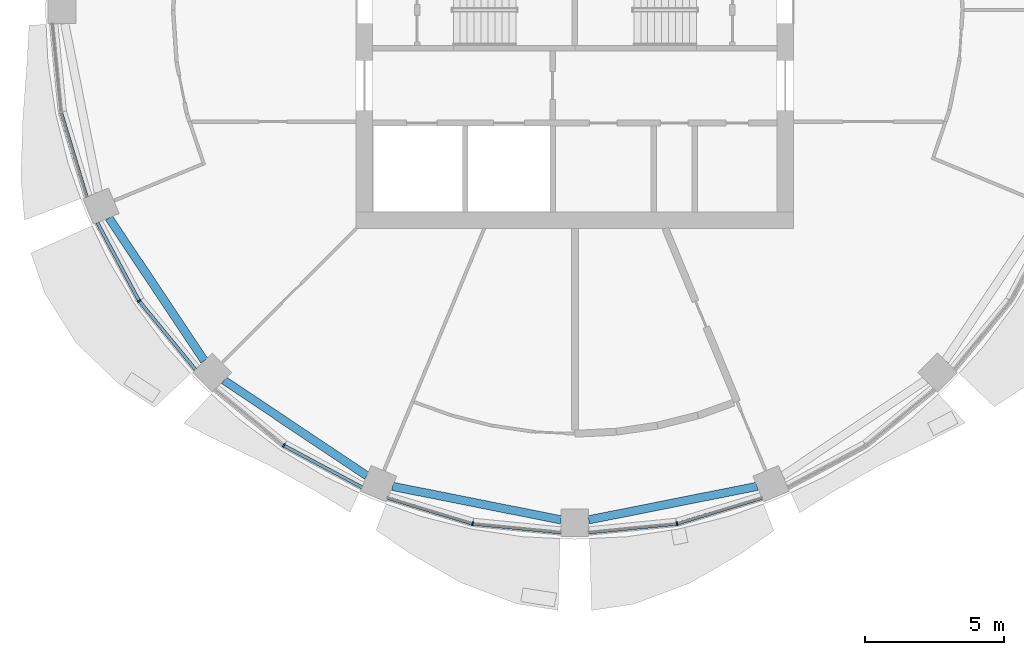
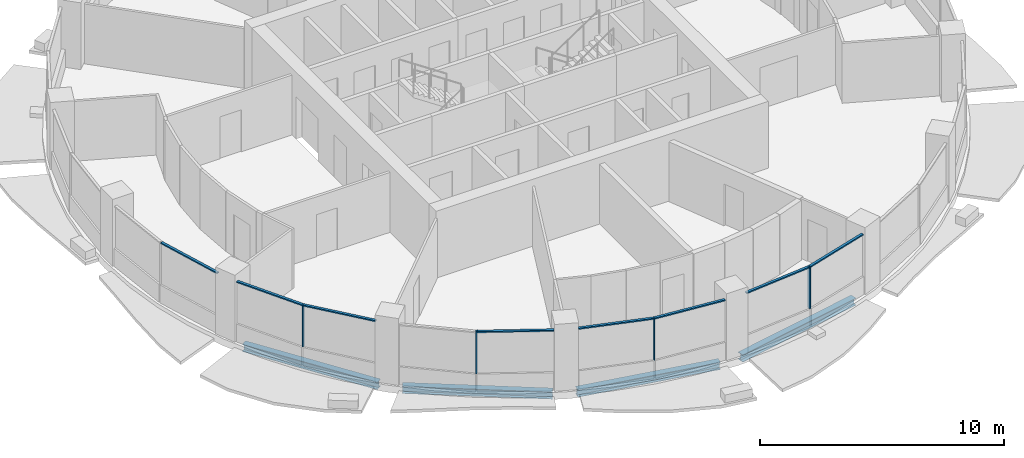
# One storey, part 2 of 15: 12 members, 4 beams, 5 elements without a shape of their own.
"""IFC4 building model written with IfcOpenShell, lengths in metres."""

from ifc_helpers import new_model, si_unit, direction, frame, origin, origin_2d, place, context, subcontext, project, spatial, rectangle, i_section, extrude, material, material_profile, profile_set, type_object, element, aggregate, save


model = new_model("IFC4")

# Units and contexts
model_context = context("Model", 3, precision=1e-05, world=origin(), true_north=direction((0.0, 1.0)))
body_context = subcontext(model_context, "Body", "Model", "MODEL_VIEW")
ifc_project = project(units=[si_unit("LENGTHUNIT", "METRE"), si_unit("AREAUNIT", "SQUARE_METRE"), si_unit("VOLUMEUNIT", "CUBIC_METRE"), si_unit("PLANEANGLEUNIT", "RADIAN"), si_unit("MASSUNIT", "GRAM", prefix="KILO")], contexts=[model_context])

# Site, building, storey
site_placement = place(None, origin())
site = spatial("IfcSite", under=ifc_project, at=site_placement, CompositionType="ELEMENT")
building_placement = place(site_placement, origin())
building = spatial("IfcBuilding", under=site, at=building_placement, Name="Polderwave Tower", CompositionType="ELEMENT")
storey_placement = place(building_placement, frame((0.0, 0.0, 124.300048828125)))
storey = spatial("IfcBuildingStorey", under=building, at=storey_placement, Name="L32", CompositionType="ELEMENT", Elevation=124.300048828125)

# Curtain wall, member
ifc_material_1 = material(Name="Aluminium 6063-T6 and glass", Category="aluminium")
curtain_wall_type = type_object("IfcCurtainWallType", Name="Office ribbon glazing wall", PredefinedType="NOTDEFINED", material=ifc_material_1)
curtain_wall_1_placement = place(storey_placement, origin())
curtain_wall_1 = element("IfcCurtainWall", 1, at=curtain_wall_1_placement, inside=storey, type_object=curtain_wall_type, Name="CW3 L32 09", PredefinedType="NOTDEFINED")
ifc_material_2 = material(Name="Aluminium 6063-T6", Category="aluminium")
ifc_material_profile_1 = material_profile(ifc_material_2, rectangle(XDim=0.139892578125, YDim=0.054931640625, at=origin_2d()), Name="AL 55x140")
ifc_profile_set_1 = profile_set([ifc_material_profile_1], Name="Aluminium 6063-T6")
member_type_1 = type_object("IfcMemberType", Name="Office ribbon glazing mullion 55x140", PredefinedType="MULLION", material=ifc_profile_set_1)
member_1_placement = place(storey_placement, frame((-15.681884765625, -10.47802734375, 0.89990234375), z_axis=(0.0, 0.0, 1.0), x_axis=(0.831453127836, 0.555594902975, 0.0)))
member_1 = element("IfcMember", 2, at=member_1_placement, type_object=member_type_1, Name="CW3 mullion 1", PredefinedType="MULLION", context=body_context, shape_type="SweptSolid", body=[
    extrude(rectangle(XDim=0.139892578125, YDim=0.054931640625, at=origin_2d()), origin(), (0.0, 0.0, 1.0), 2.10009765625),
])

curtain_wall_2_placement = place(storey_placement, origin())
curtain_wall_2 = element("IfcCurtainWall", 3, at=curtain_wall_2_placement, inside=storey, type_object=curtain_wall_type, Name="CW3 L32 10", PredefinedType="NOTDEFINED")
member_2_placement = place(storey_placement, frame((-10.47802734375, -15.681884765625, 0.89990234375), z_axis=(0.0, 0.0, 1.0), x_axis=(0.555594902975, 0.831453127836, 0.0)))
member_2 = element("IfcMember", 4, at=member_2_placement, type_object=member_type_1, Name="CW3 mullion 1", PredefinedType="MULLION", context=body_context, shape_type="SweptSolid", body=[
    extrude(rectangle(XDim=0.139892578125, YDim=0.054931640625, at=origin_2d()), origin(), (0.0, 0.0, 1.0), 2.10009765625),
])

curtain_wall_3_placement = place(storey_placement, origin())
curtain_wall_3 = element("IfcCurtainWall", 5, at=curtain_wall_3_placement, inside=storey, type_object=curtain_wall_type, Name="CW3 L32 11", PredefinedType="NOTDEFINED")
member_3_placement = place(storey_placement, frame((-3.678955078125, -18.498046875, 0.89990234375), z_axis=(0.0, 0.0, 1.0), x_axis=(0.195127981324, 0.98077778875, 0.0)))
member_3 = element("IfcMember", 6, at=member_3_placement, type_object=member_type_1, Name="CW3 mullion 1", PredefinedType="MULLION", context=body_context, shape_type="SweptSolid", body=[
    extrude(rectangle(XDim=0.139892578125, YDim=0.054931640625, at=origin_2d()), origin(), (0.0, 0.0, 1.0), 2.10009765625),
])

curtain_wall_4_placement = place(storey_placement, origin())
curtain_wall_4 = element("IfcCurtainWall", 7, at=curtain_wall_4_placement, inside=storey, type_object=curtain_wall_type, Name="CW3 L32 12", PredefinedType="NOTDEFINED")
member_4_placement = place(storey_placement, frame((3.678955078125, -18.498046875, 0.89990234375), z_axis=(0.0, 0.0, 1.0), x_axis=(-0.195127981324, 0.98077778875, 0.0)))
member_4 = element("IfcMember", 8, at=member_4_placement, type_object=member_type_1, Name="CW3 mullion 1", PredefinedType="MULLION", context=body_context, shape_type="SweptSolid", body=[
    extrude(rectangle(XDim=0.139892578125, YDim=0.054931640625, at=origin_2d()), origin(), (0.0, 0.0, 1.0), 2.10009765625),
])

curtain_wall_5_placement = place(storey_placement, origin())
curtain_wall_5 = element("IfcCurtainWall", 9, at=curtain_wall_5_placement, inside=storey, type_object=curtain_wall_type, Name="CW3 L32 08", PredefinedType="NOTDEFINED")
ifc_material_profile_2 = material_profile(ifc_material_2, rectangle(XDim=0.1201171875, YDim=0.06005859375, at=origin_2d()), Name="AL 60x120")
ifc_profile_set_2 = profile_set([ifc_material_profile_2], Name="Aluminium 6063-T6")
member_type_2 = type_object("IfcMemberType", Name="Office ribbon glazing transom 60x120", PredefinedType="USERDEFINED", material=ifc_profile_set_2)
member_5_placement = place(storey_placement, frame((-18.489990234375, -3.705322265625, 2.969970703125), z_axis=(0.290358126892, -0.95691805195, 0.0), x_axis=(0.95691805195, 0.290358126892, 0.0)))
member_5 = element("IfcMember", 10, at=member_5_placement, type_object=member_type_2, Name="CW3 transom 2", ObjectType="TRANSOM", PredefinedType="USERDEFINED", context=body_context, shape_type="SweptSolid", body=[
    extrude(rectangle(XDim=0.1201171875, YDim=0.06005859375, at=origin_2d()), origin(), (0.0, 0.0, 1.0), 3.168212890625),
])
aggregate(curtain_wall_5, [member_5])

# Member
member_6_placement = place(storey_placement, frame((-17.18798828125, -7.660888671875, 2.969970703125), z_axis=(0.471440336956, -0.881897958208, 0.0), x_axis=(0.881897958208, 0.471440336956, 0.0)))
member_6 = element("IfcMember", 11, at=member_6_placement, type_object=member_type_2, Name="CW3 transom 1", ObjectType="TRANSOM", PredefinedType="USERDEFINED", context=body_context, shape_type="SweptSolid", body=[
    extrude(rectangle(XDim=0.1201171875, YDim=0.06005859375, at=origin_2d()), origin(), (0.0, 0.0, 1.0), 3.166748046875),
])

member_7_placement = place(storey_placement, frame((-15.66455078125, -10.499267578125, 2.969970703125), z_axis=(0.634374481569, -0.773025883871, 0.0), x_axis=(0.773025883871, 0.634374481569, 0.0)))
member_7 = element("IfcMember", 12, at=member_7_placement, type_object=member_type_2, Name="CW3 transom 2", ObjectType="TRANSOM", PredefinedType="USERDEFINED", context=body_context, shape_type="SweptSolid", body=[
    extrude(rectangle(XDim=0.1201171875, YDim=0.06005859375, at=origin_2d()), origin(), (0.0, 0.0, 1.0), 3.167724609375),
])

aggregate(curtain_wall_1, [member_1, member_6, member_7])

member_8_placement = place(storey_placement, frame((-10.45361328125, -15.695068359375, 2.969970703125), z_axis=(0.881897958208, -0.471440336956, 0.0), x_axis=(0.471440336956, 0.881897958208, 0.0)))
member_8 = element("IfcMember", 13, at=member_8_placement, type_object=member_type_2, Name="CW3 transom 2", ObjectType="TRANSOM", PredefinedType="USERDEFINED", context=body_context, shape_type="SweptSolid", body=[
    extrude(rectangle(XDim=0.1201171875, YDim=0.06005859375, at=origin_2d()), origin(), (0.0, 0.0, 1.0), 3.166748046875),
])

aggregate(curtain_wall_2, [member_2, member_8])

member_9_placement = place(storey_placement, frame((-6.737060546875, -17.570068359375, 2.969970703125), z_axis=(0.95691805195, -0.290358126892, 0.0), x_axis=(0.290358126892, 0.95691805195, 0.0)))
member_9 = element("IfcMember", 14, at=member_9_placement, type_object=member_type_2, Name="CW3 transom 1", ObjectType="TRANSOM", PredefinedType="USERDEFINED", context=body_context, shape_type="SweptSolid", body=[
    extrude(rectangle(XDim=0.1201171875, YDim=0.06005859375, at=origin_2d()), origin(), (0.0, 0.0, 1.0), 3.168212890625),
])

member_10_placement = place(storey_placement, frame((-3.651611328125, -18.500732421875, 2.969970703125), z_axis=(0.9951879261, -0.09798465056, 0.0), x_axis=(0.09798465056, 0.9951879261, 0.0)))
member_10 = element("IfcMember", 15, at=member_10_placement, type_object=member_type_2, Name="CW3 transom 2", ObjectType="TRANSOM", PredefinedType="USERDEFINED", context=body_context, shape_type="SweptSolid", body=[
    extrude(rectangle(XDim=0.1201171875, YDim=0.06005859375, at=origin_2d()), origin(), (0.0, 0.0, 1.0), 3.166748046875),
])

aggregate(curtain_wall_3, [member_3, member_9, member_10])

member_11_placement = place(storey_placement, frame((0.5, -18.81103515625, 2.969970703125), z_axis=(0.9951879261, 0.09798465056, 0.0), x_axis=(-0.09798465056, 0.9951879261, 0.0)))
member_11 = element("IfcMember", 16, at=member_11_placement, type_object=member_type_2, Name="CW3 transom 1", ObjectType="TRANSOM", PredefinedType="USERDEFINED", context=body_context, shape_type="SweptSolid", body=[
    extrude(rectangle(XDim=0.1201171875, YDim=0.06005859375, at=origin_2d()), origin(), (0.0, 0.0, 1.0), 3.166748046875),
])

member_12_placement = place(storey_placement, frame((3.705322265625, -18.489990234375, 2.969970703125), z_axis=(0.95691805195, 0.290358126892, 0.0), x_axis=(-0.290358126892, 0.95691805195, 0.0)))
member_12 = element("IfcMember", 17, at=member_12_placement, type_object=member_type_2, Name="CW3 transom 2", ObjectType="TRANSOM", PredefinedType="USERDEFINED", context=body_context, shape_type="SweptSolid", body=[
    extrude(rectangle(XDim=0.1201171875, YDim=0.06005859375, at=origin_2d()), origin(), (0.0, 0.0, 1.0), 3.168212890625),
])

aggregate(curtain_wall_4, [member_4, member_11, member_12])

# Beams
ifc_material_3 = material(Name="Steel S355", Category="steel")
ifc_material_profile_3 = material_profile(ifc_material_3, i_section(OverallWidth=0.300048828125, OverallDepth=0.360107421875, WebThickness=0.012451171875, FlangeThickness=0.0224609375, at=origin_2d()), Name="HE 360 B")
ifc_profile_set_3 = profile_set([ifc_material_profile_3], Name="Steel S355")
beam_type = type_object("IfcBeamType", Name="RING BEAM HE 360 B", PredefinedType="BEAM", material=ifc_profile_set_3)
for number, where, z_axis, x_axis, name in (
    (18, (-16.771484375, -7.48828125, -0.530029296875), (0.555556426907, -0.831478837086, 0.0), (0.831478837086, 0.555556426907, 0.0), "ST-RB-L32-09"),
    (19, (-12.62939453125, -13.33642578125, -0.530029296875), (0.831478837086, -0.555556426907, 0.0), (0.555556426907, 0.831478837086, 0.0), "ST-RB-L32-10"),
):
    element("IfcBeam", number, at=place(storey_placement, frame(where, z_axis=z_axis, x_axis=x_axis)), inside=storey, type_object=beam_type, Name=name, PredefinedType="BEAM", context=body_context, shape_type="SweptSolid", body=[
        extrude(i_section(OverallWidth=0.300048828125, OverallDepth=0.360107421875, WebThickness=0.012451171875, FlangeThickness=0.0224609375, at=origin_2d()), origin(), (0.0, 0.0, 1.0), 6.18310546875),
    ])
for number, where, z_axis, x_axis, name in (
    (20, (-6.564453125, -17.154296875, -0.530029296875), (0.980785153523, -0.195090959886, 0.0), (0.195090959886, 0.980785153523, 0.0), "ST-RB-L32-11"),
    (21, (0.5, -18.360595703125, -0.530029296875), (0.980785153523, 0.195090959886, 0.0), (-0.195090959886, 0.980785153523, 0.0), "ST-RB-L32-12"),
):
    element("IfcBeam", number, at=place(storey_placement, frame(where, z_axis=z_axis, x_axis=x_axis)), inside=storey, type_object=beam_type, Name=name, PredefinedType="BEAM", context=body_context, shape_type="SweptSolid", body=[
        extrude(i_section(OverallWidth=0.300048828125, OverallDepth=0.360107421875, WebThickness=0.012451171875, FlangeThickness=0.0224609375, at=origin_2d()), origin(), (0.0, 0.0, 1.0), 6.183349609375),
    ])

save(model, "model.ifc")
